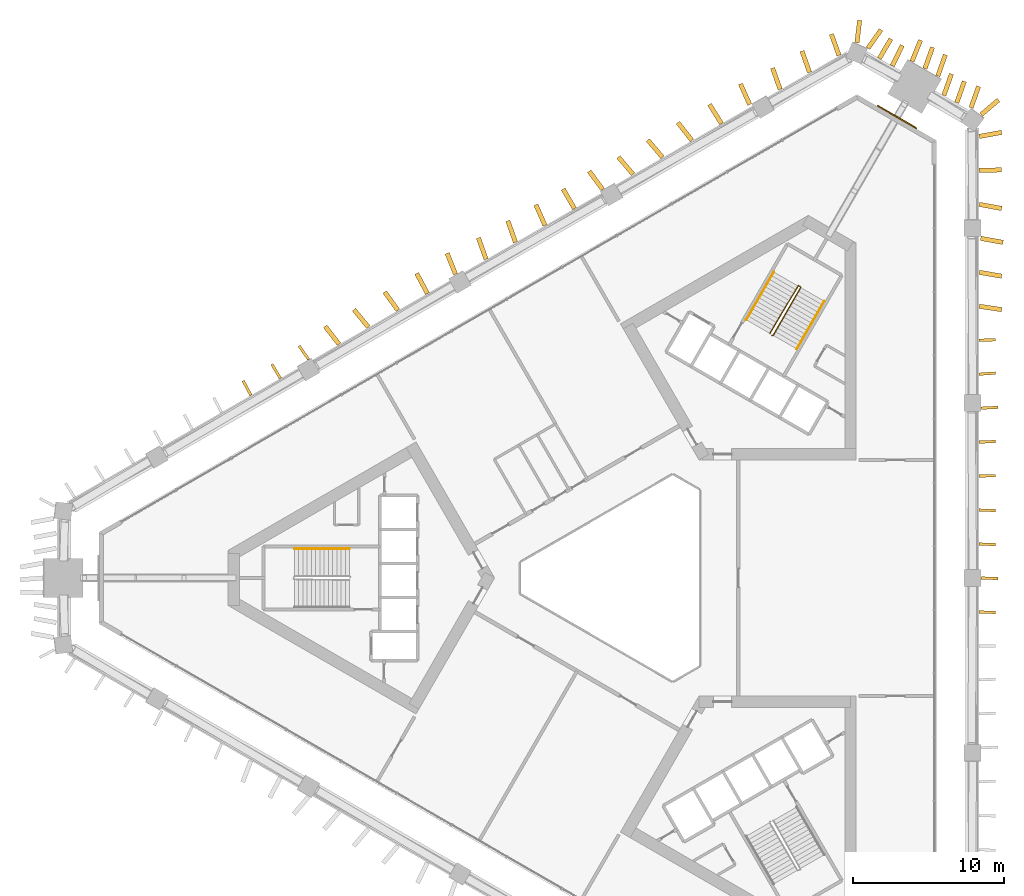
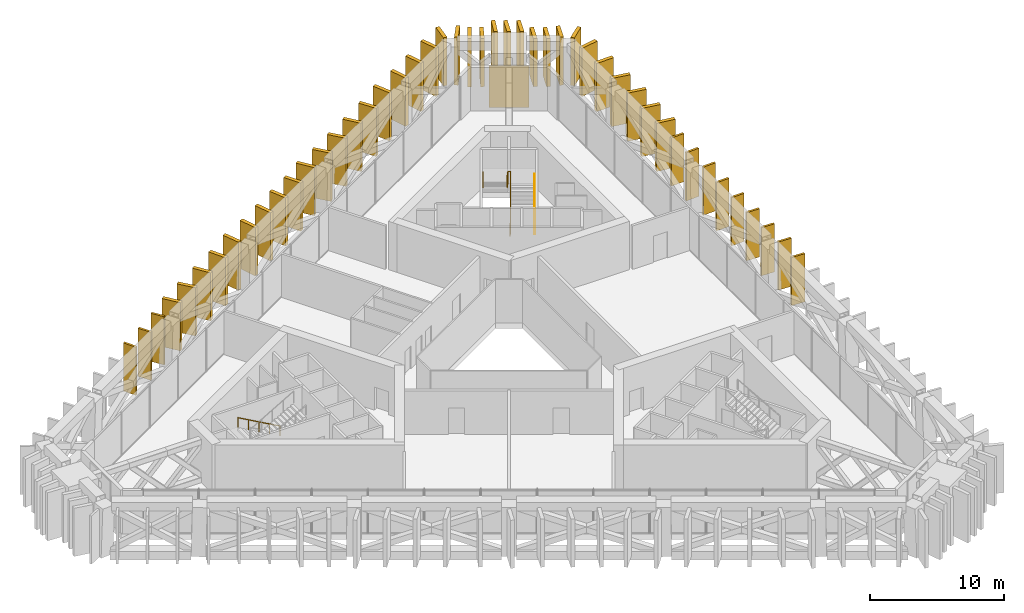
# One storey, part 17 of 17: 47 shading devices, 4 railings, 1 covering.
"""IFC4 building model written with IfcOpenShell, lengths in metres."""

from ifc_helpers import new_model, si_unit, direction, frame, frame_2d, origin, origin_2d, place, context, subcontext, project, spatial, rectangle, circle, extrude, material, layer, layer_set, type_object, element, save


model = new_model("IFC4")

# Units and contexts
model_context = context("Model", 3, precision=1e-05, world=origin(), true_north=direction((0.0, 1.0)))
body_context = subcontext(model_context, "Body", "Model", "MODEL_VIEW")
ifc_project = project(units=[si_unit("LENGTHUNIT", "METRE"), si_unit("AREAUNIT", "SQUARE_METRE"), si_unit("VOLUMEUNIT", "CUBIC_METRE"), si_unit("PLANEANGLEUNIT", "RADIAN"), si_unit("MASSUNIT", "GRAM", prefix="KILO")], contexts=[model_context])

# Site, building, storey
site_placement = place(None, origin())
site = spatial("IfcSite", under=ifc_project, at=site_placement, CompositionType="ELEMENT")
building_placement = place(site_placement, origin())
building = spatial("IfcBuilding", under=site, at=building_placement, Name="Jabali Bay Hotel Tower and Convention Centre", CompositionType="ELEMENT")
storey_placement = place(building_placement, frame((0.0, 0.0, 102.39990234375)))
storey = spatial("IfcBuildingStorey", under=building, at=storey_placement, Name="L24", CompositionType="ELEMENT", Elevation=102.39990234375)

# Shading devices
ifc_material_1 = material(Name="Precast concrete C60", Category="concrete")
ifc_layer_1 = layer(ifc_material_1, 0.179931640625)
ifc_layer_set_1 = layer_set([ifc_layer_1], Name="Precast concrete C60")
shading_device_type_1 = type_object("IfcShadingDeviceType", Name="Precast fin 4380 x 1100", PredefinedType="USERDEFINED", material=ifc_layer_set_1)
for number, where, z_axis, x_axis, name in (
    (1, (97.99169921875, 77.7568359375, 0.010009765625), (0.0, 0.0, 1.0), (0.999329050774, -0.036625787067, 0.0), "Fin L24 012"),
    (2, (98.1416015625, 80.0, 0.010009765625), (0.0, 0.0, 1.0), (0.999329050774, -0.036625787067, 0.0), "Fin L24 013"),
    (3, (97.99169921875, 82.2431640625, 0.010009765625), (0.0, 0.0, 1.0), (0.99932090172, -0.036847461059, 0.0), "Fin L24 014"),
):
    element("IfcShadingDevice", number, at=place(storey_placement, frame(where, z_axis=z_axis, x_axis=x_axis)), inside=storey, type_object=shading_device_type_1, Name=name, ObjectType="FIN", PredefinedType="USERDEFINED", context=body_context, shape_type="SweptSolid", body=[
        extrude(rectangle(XDim=1.099853515625, YDim=0.179931640625, at=frame_2d((0.5498046875, 0.0))), origin(), (0.0, 0.0, 1.0), 4.380126953125),
    ])
for number, where, z_axis, x_axis, name in (
    (4, (97.990966796875, 84.486328125, 0.010009765625), (0.0, 0.0, 1.0), (0.999570818053, -0.029294704259, 0.0), "Fin L24 015"),
    (5, (97.990966796875, 86.729736328125, 0.010009765625), (0.0, 0.0, 1.0), (0.999583716981, 0.028851217408, 0.0), "Fin L24 016"),
    (6, (97.991943359375, 88.972900390625, 0.010009765625), (0.0, 0.0, 1.0), (0.999174868023, 0.040615060162, 0.0), "Fin L24 017"),
):
    element("IfcShadingDevice", number, at=place(storey_placement, frame(where, z_axis=z_axis, x_axis=x_axis)), inside=storey, type_object=shading_device_type_1, Name=name, ObjectType="FIN", PredefinedType="USERDEFINED", context=body_context, shape_type="SweptSolid", body=[
        extrude(rectangle(XDim=1.10009765625, YDim=0.179931640625, at=frame_2d((0.550048828125, 0.0))), origin(), (0.0, 0.0, 1.0), 4.380126953125),
    ])
for number, where, z_axis, x_axis, name in (
    (7, (98.142578125, 91.216064453125, 0.010009765625), (0.0, 0.0, 1.0), (0.998849986842, 0.047944799368, 0.0), "Fin L24 018"),
    (8, (97.994384765625, 93.459228515625, 0.010009765625), (0.0, 0.0, 1.0), (0.997735778502, 0.067255604202, 0.0), "Fin L24 019"),
    (9, (97.99072265625, 95.70263671875, 0.010009765625), (0.0, 0.0, 1.0), (0.99967419583, 0.025524540968, 0.0), "Fin L24 020"),
):
    element("IfcShadingDevice", number, at=place(storey_placement, frame(where, z_axis=z_axis, x_axis=x_axis)), inside=storey, type_object=shading_device_type_1, Name=name, ObjectType="FIN", PredefinedType="USERDEFINED", context=body_context, shape_type="SweptSolid", body=[
        extrude(rectangle(XDim=1.099853515625, YDim=0.179931640625, at=frame_2d((0.5498046875, 0.0))), origin(), (0.0, 0.0, 1.0), 4.380126953125),
    ])
shading_device_1_placement = place(storey_placement, frame((53.71337890625, 94.437255859375, 0.010009765625), z_axis=(0.0, 0.0, 1.0), x_axis=(-0.577179690893, 0.816617171275, 0.0)))
element("IfcShadingDevice", 10, at=shading_device_1_placement, inside=storey, type_object=shading_device_type_1, Name="Fin L24 054", ObjectType="FIN", PredefinedType="USERDEFINED", context=body_context, shape_type="SweptSolid", body=[
    extrude(rectangle(XDim=1.10009765625, YDim=0.179931640625, at=frame_2d((0.550048828125, 0.0))), origin(), (0.0, 0.0, 1.0), 4.380126953125),
])
shading_device_2_placement = place(storey_placement, frame((51.84912109375, 93.179931640625, 0.010009765625), z_axis=(0.0, 0.0, 1.0), x_axis=(-0.511881860499, 0.85905585435, 0.0)))
element("IfcShadingDevice", 11, at=shading_device_2_placement, inside=storey, type_object=shading_device_type_1, Name="Fin L24 055", ObjectType="FIN", PredefinedType="USERDEFINED", context=body_context, shape_type="SweptSolid", body=[
    extrude(rectangle(XDim=1.099853515625, YDim=0.179931640625, at=frame_2d((0.5498046875, 0.0))), origin(), (0.0, 0.0, 1.0), 4.380126953125),
])
shading_device_3_placement = place(storey_placement, frame((49.905517578125, 92.059814453125, 0.010009765625), z_axis=(0.0, 0.0, 1.0), x_axis=(-0.471636196942, 0.881793228447, 0.0)))
element("IfcShadingDevice", 12, at=shading_device_3_placement, inside=storey, type_object=shading_device_type_1, Name="Fin L24 056", ObjectType="FIN", PredefinedType="USERDEFINED", context=body_context, shape_type="SweptSolid", body=[
    extrude(rectangle(XDim=1.10009765625, YDim=0.179931640625, at=frame_2d((0.550048828125, 0.0))), origin(), (0.0, 0.0, 1.0), 4.380126953125),
])
ifc_layer_2 = layer(ifc_material_1, 0.300048828125)
ifc_layer_set_2 = layer_set([ifc_layer_2], Name="Precast concrete C60")
shading_device_type_2 = type_object("IfcShadingDeviceType", Name="Precast fin 4380 x 1500", PredefinedType="USERDEFINED", material=ifc_layer_set_2)
for number, where, z_axis, x_axis, name in (
    (13, (98.010498046875, 97.94580078125, 0.010009765625), (0.0, 0.0, 1.0), (0.988993587022, -0.147958388842, 0.0), "Fin L24 021"),
    (14, (98.013916015625, 100.18896484375, 0.010009765625), (0.0, 0.0, 1.0), (0.985372589061, -0.170413792657, 0.0), "Fin L24 022"),
    (15, (98.10595703125, 102.43212890625, 0.010009765625), (0.0, 0.0, 1.0), (0.984049101175, -0.177897067083, 0.0), "Fin L24 023"),
    (16, (98.015380859375, 104.675537109375, 0.010009765625), (0.0, 0.0, 1.0), (0.983632050405, -0.180188760516, 0.0), "Fin L24 024"),
):
    element("IfcShadingDevice", number, at=place(storey_placement, frame(where, z_axis=z_axis, x_axis=x_axis)), inside=storey, type_object=shading_device_type_2, Name=name, ObjectType="FIN", PredefinedType="USERDEFINED", context=body_context, shape_type="SweptSolid", body=[
        extrude(rectangle(XDim=1.5, YDim=0.300048828125, at=frame_2d((0.75, 0.0))), origin(), (0.0, 0.0, 1.0), 4.380126953125),
    ])
shading_device_4_placement = place(storey_placement, frame((97.991943359375, 106.918701171875, 0.010009765625), z_axis=(0.0, 0.0, 1.0), x_axis=(0.999689979909, 0.024898676042, 0.0)))
element("IfcShadingDevice", 17, at=shading_device_4_placement, inside=storey, type_object=shading_device_type_2, Name="Fin L24 025", ObjectType="FIN", PredefinedType="USERDEFINED", context=body_context, shape_type="SweptSolid", body=[
    extrude(rectangle(XDim=1.500244140625, YDim=0.300048828125, at=frame_2d((0.75, 0.0))), origin(), (0.0, 0.0, 1.0), 4.380126953125),
])
shading_device_5_placement = place(storey_placement, frame((98.015380859375, 109.161865234375, 0.010009765625), z_axis=(0.0, 0.0, 1.0), x_axis=(0.983545395653, 0.180661159883, 0.0)))
element("IfcShadingDevice", 18, at=shading_device_5_placement, inside=storey, type_object=shading_device_type_2, Name="Fin L24 026", ObjectType="FIN", PredefinedType="USERDEFINED", context=body_context, shape_type="SweptSolid", body=[
    extrude(rectangle(XDim=1.5, YDim=0.300048828125, at=frame_2d((0.75, 0.0))), origin(), (0.0, 0.0, 1.0), 4.380126953125),
])
for number, where, z_axis, x_axis, name in (
    (19, (97.46728515625, 111.05615234375, 0.010009765625), (0.0, 0.0, 1.0), (0.335160595484, 0.942161013434, 0.0), "Fin L24 027"),
    (20, (96.52587890625, 111.39013671875, 0.010009765625), (0.0, 0.0, 1.0), (0.335160595484, 0.942161013434, 0.0), "Fin L24 028"),
):
    element("IfcShadingDevice", number, at=place(storey_placement, frame(where, z_axis=z_axis, x_axis=x_axis)), inside=storey, type_object=shading_device_type_2, Name=name, ObjectType="FIN", PredefinedType="USERDEFINED", context=body_context, shape_type="SweptSolid", body=[
        extrude(rectangle(XDim=1.499755859375, YDim=0.300048828125, at=frame_2d((0.75, 0.0))), origin(), (0.0, 0.0, 1.0), 4.380126953125),
    ])
shading_device_6_placement = place(storey_placement, frame((95.675048828125, 111.88134765625, 0.010009765625), z_axis=(0.0, 0.0, 1.0), x_axis=(0.335305076677, 0.942109603791, 0.0)))
element("IfcShadingDevice", 21, at=shading_device_6_placement, inside=storey, type_object=shading_device_type_2, Name="Fin L24 029", ObjectType="FIN", PredefinedType="USERDEFINED", context=body_context, shape_type="SweptSolid", body=[
    extrude(rectangle(XDim=1.5, YDim=0.300048828125, at=frame_2d((0.75, 0.0))), origin(), (0.0, 0.0, 1.0), 4.380126953125),
])
shading_device_7_placement = place(storey_placement, frame((95.274169921875, 113.151123046875, 0.010009765625), z_axis=(0.0, 0.0, 1.0), x_axis=(0.335160595484, 0.942161013434, 0.0)))
element("IfcShadingDevice", 22, at=shading_device_7_placement, inside=storey, type_object=shading_device_type_2, Name="Fin L24 030", ObjectType="FIN", PredefinedType="USERDEFINED", context=body_context, shape_type="SweptSolid", body=[
    extrude(rectangle(XDim=1.499755859375, YDim=0.300048828125, at=frame_2d((0.75, 0.0))), origin(), (0.0, 0.0, 1.0), 4.380126953125),
])
shading_device_8_placement = place(storey_placement, frame((94.42333984375, 113.642333984375, 0.010009765625), z_axis=(0.0, 0.0, 1.0), x_axis=(0.335305076677, 0.942109603791, 0.0)))
element("IfcShadingDevice", 23, at=shading_device_8_placement, inside=storey, type_object=shading_device_type_2, Name="Fin L24 031", ObjectType="FIN", PredefinedType="USERDEFINED", context=body_context, shape_type="SweptSolid", body=[
    extrude(rectangle(XDim=1.5, YDim=0.300048828125, at=frame_2d((0.75, 0.0))), origin(), (0.0, 0.0, 1.0), 4.380126953125),
])
shading_device_9_placement = place(storey_placement, frame((93.5693359375, 114.127685546875, 0.010009765625), z_axis=(0.0, 0.0, 1.0), x_axis=(0.376267910641, 0.926510906262, 0.0)))
element("IfcShadingDevice", 24, at=shading_device_9_placement, inside=storey, type_object=shading_device_type_2, Name="Fin L24 032", ObjectType="FIN", PredefinedType="USERDEFINED", context=body_context, shape_type="SweptSolid", body=[
    extrude(rectangle(XDim=1.500244140625, YDim=0.300048828125, at=frame_2d((0.75, 0.0))), origin(), (0.0, 0.0, 1.0), 4.380126953125),
])
shading_device_10_placement = place(storey_placement, frame((92.263427734375, 113.830322265625, 0.010009765625), z_axis=(0.0, 0.0, 1.0), x_axis=(0.445129145514, 0.895466383408, 0.0)))
element("IfcShadingDevice", 25, at=shading_device_10_placement, inside=storey, type_object=shading_device_type_2, Name="Fin L24 033", ObjectType="FIN", PredefinedType="USERDEFINED", context=body_context, shape_type="SweptSolid", body=[
    extrude(rectangle(XDim=1.5, YDim=0.300048828125, at=frame_2d((0.75, 0.0))), origin(), (0.0, 0.0, 1.0), 4.380126953125),
])
shading_device_11_placement = place(storey_placement, frame((91.4091796875, 114.3154296875, 0.010009765625), z_axis=(0.0, 0.0, 1.0), x_axis=(0.513130929105, 0.858310345735, 0.0)))
element("IfcShadingDevice", 26, at=shading_device_11_placement, inside=storey, type_object=shading_device_type_2, Name="Fin L24 034", ObjectType="FIN", PredefinedType="USERDEFINED", context=body_context, shape_type="SweptSolid", body=[
    extrude(rectangle(XDim=1.500244140625, YDim=0.300048828125, at=frame_2d((0.75, 0.0))), origin(), (0.0, 0.0, 1.0), 4.380126953125),
])
for number, where, z_axis, x_axis, name in (
    (27, (90.662109375, 114.986083984375, 0.010009765625), (0.0, 0.0, 1.0), (0.574412355558, 0.818566091273, 0.0), "Fin L24 035"),
    (28, (88.747314453125, 114.512939453125, 0.010009765625), (0.0, 0.0, 1.0), (-0.335305076677, 0.942109603791, 0.0), "Fin L24 036"),
):
    element("IfcShadingDevice", number, at=place(storey_placement, frame(where, z_axis=z_axis, x_axis=x_axis)), inside=storey, type_object=shading_device_type_2, Name=name, ObjectType="FIN", PredefinedType="USERDEFINED", context=body_context, shape_type="SweptSolid", body=[
        extrude(rectangle(XDim=1.5, YDim=0.300048828125, at=frame_2d((0.75, 0.0))), origin(), (0.0, 0.0, 1.0), 4.380126953125),
    ])
for number, where, z_axis, x_axis, name in (
    (29, (86.804443359375, 113.391357421875, 0.010009765625), (0.0, 0.0, 1.0), (-0.335160595484, 0.942161013434, 0.0), "Fin L24 037"),
    (30, (84.86181640625, 112.269775390625, 0.010009765625), (0.0, 0.0, 1.0), (-0.335160595484, 0.942161013434, 0.0), "Fin L24 038"),
):
    element("IfcShadingDevice", number, at=place(storey_placement, frame(where, z_axis=z_axis, x_axis=x_axis)), inside=storey, type_object=shading_device_type_2, Name=name, ObjectType="FIN", PredefinedType="USERDEFINED", context=body_context, shape_type="SweptSolid", body=[
        extrude(rectangle(XDim=1.499755859375, YDim=0.300048828125, at=frame_2d((0.75, 0.0))), origin(), (0.0, 0.0, 1.0), 4.380126953125),
    ])
for number, where, z_axis, x_axis, name in (
    (31, (82.852294921875, 111.263916015625, 0.010009765625), (0.0, 0.0, 1.0), (-0.4096539806, 0.912240985803, 0.0), "Fin L24 039"),
    (32, (80.987548828125, 110.00732421875, 0.010009765625), (0.0, 0.0, 1.0), (-0.528168899472, 0.849139336994, 0.0), "Fin L24 040"),
    (33, (79.036376953125, 108.900146484375, 0.010009765625), (0.0, 0.0, 1.0), (-0.619939761701, 0.784649406973, 0.0), "Fin L24 041"),
    (34, (77.091064453125, 107.783203125, 0.010009765625), (0.0, 0.0, 1.0), (-0.648281291341, 0.761400924151, 0.0), "Fin L24 042"),
    (35, (75.1484375, 106.66162109375, 0.010009765625), (0.0, 0.0, 1.0), (-0.648281291341, 0.761400924151, 0.0), "Fin L24 043"),
    (36, (73.135986328125, 105.66064453125, 0.010009765625), (0.0, 0.0, 1.0), (-0.591949152562, 0.80597531028, 0.0), "Fin L24 044"),
    (37, (71.276611328125, 104.39501953125, 0.010009765625), (0.0, 0.0, 1.0), (-0.500182682664, 0.865919906206, 0.0), "Fin L24 045"),
):
    element("IfcShadingDevice", number, at=place(storey_placement, frame(where, z_axis=z_axis, x_axis=x_axis)), inside=storey, type_object=shading_device_type_2, Name=name, ObjectType="FIN", PredefinedType="USERDEFINED", context=body_context, shape_type="SweptSolid", body=[
        extrude(rectangle(XDim=1.5, YDim=0.300048828125, at=frame_2d((0.75, 0.0))), origin(), (0.0, 0.0, 1.0), 4.380126953125),
    ])
shading_device_12_placement = place(storey_placement, frame((69.32568359375, 103.28759765625, 0.010009765625), z_axis=(0.0, 0.0, 1.0), x_axis=(-0.402056632689, 0.915614801164, 0.0)))
element("IfcShadingDevice", 38, at=shading_device_12_placement, inside=storey, type_object=shading_device_type_2, Name="Fin L24 046", ObjectType="FIN", PredefinedType="USERDEFINED", context=body_context, shape_type="SweptSolid", body=[
    extrude(rectangle(XDim=1.499755859375, YDim=0.300048828125, at=frame_2d((0.75, 0.0))), origin(), (0.0, 0.0, 1.0), 4.380126953125),
])
for number, where, z_axis, x_axis, name in (
    (39, (67.377685546875, 102.175048828125, 0.010009765625), (0.0, 0.0, 1.0), (-0.335253666146, 0.94212789967, 0.0), "Fin L24 047"),
    (40, (65.43505859375, 101.053466796875, 0.010009765625), (0.0, 0.0, 1.0), (-0.335253666146, 0.94212789967, 0.0), "Fin L24 048"),
):
    element("IfcShadingDevice", number, at=place(storey_placement, frame(where, z_axis=z_axis, x_axis=x_axis)), inside=storey, type_object=shading_device_type_2, Name=name, ObjectType="FIN", PredefinedType="USERDEFINED", context=body_context, shape_type="SweptSolid", body=[
        extrude(rectangle(XDim=1.500244140625, YDim=0.300048828125, at=frame_2d((0.75, 0.0))), origin(), (0.0, 0.0, 1.0), 4.380126953125),
    ])
shading_device_13_placement = place(storey_placement, frame((63.420166015625, 100.05712890625, 0.010009765625), z_axis=(0.0, 0.0, 1.0), x_axis=(-0.369678026923, 0.929159919718, 0.0)))
element("IfcShadingDevice", 41, at=shading_device_13_placement, inside=storey, type_object=shading_device_type_2, Name="Fin L24 049", ObjectType="FIN", PredefinedType="USERDEFINED", context=body_context, shape_type="SweptSolid", body=[
    extrude(rectangle(XDim=1.499755859375, YDim=0.300048828125, at=frame_2d((0.75, 0.0))), origin(), (0.0, 0.0, 1.0), 4.380126953125),
])
for number, where, z_axis, x_axis, name in (
    (42, (61.560791015625, 98.791015625, 0.010009765625), (0.0, 0.0, 1.0), (-0.471331436417, 0.881956165036, 0.0), "Fin L24 050"),
    (43, (59.613037109375, 97.677978515625, 0.010009765625), (0.0, 0.0, 1.0), (-0.582991967158, 0.812477917379, 0.0), "Fin L24 051"),
):
    element("IfcShadingDevice", number, at=place(storey_placement, frame(where, z_axis=z_axis, x_axis=x_axis)), inside=storey, type_object=shading_device_type_2, Name=name, ObjectType="FIN", PredefinedType="USERDEFINED", context=body_context, shape_type="SweptSolid", body=[
        extrude(rectangle(XDim=1.5, YDim=0.300048828125, at=frame_2d((0.75, 0.0))), origin(), (0.0, 0.0, 1.0), 4.380126953125),
    ])
shading_device_14_placement = place(storey_placement, frame((57.665283203125, 96.565185546875, 0.010009765625), z_axis=(0.0, 0.0, 1.0), x_axis=(-0.636317573069, 0.771427213808, 0.0)))
element("IfcShadingDevice", 44, at=shading_device_14_placement, inside=storey, type_object=shading_device_type_2, Name="Fin L24 052", ObjectType="FIN", PredefinedType="USERDEFINED", context=body_context, shape_type="SweptSolid", body=[
    extrude(rectangle(XDim=1.499755859375, YDim=0.300048828125, at=frame_2d((0.75, 0.0))), origin(), (0.0, 0.0, 1.0), 4.380126953125),
])
for number, where, z_axis, x_axis, name in (
    (45, (55.724853515625, 95.439697265625, 0.010009765625), (0.0, 0.0, 1.0), (-0.612993599183, 0.79008787319, 0.0), "Fin L24 053"),
    (46, (98.137939453125, 110.600830078125, 0.010009765625), (0.0, 0.0, 1.0), (0.761400924151, 0.648281291341, 0.0), "Fin L24 109"),
):
    element("IfcShadingDevice", number, at=place(storey_placement, frame(where, z_axis=z_axis, x_axis=x_axis)), inside=storey, type_object=shading_device_type_2, Name=name, ObjectType="FIN", PredefinedType="USERDEFINED", context=body_context, shape_type="SweptSolid", body=[
        extrude(rectangle(XDim=1.5, YDim=0.300048828125, at=frame_2d((0.75, 0.0))), origin(), (0.0, 0.0, 1.0), 4.380126953125),
    ])
shading_device_15_placement = place(storey_placement, frame((89.93212890625, 115.34814453125, 0.010009765625), z_axis=(0.0, 0.0, 1.0), x_axis=(0.121109144386, 0.992639196862, 0.0)))
element("IfcShadingDevice", 47, at=shading_device_15_placement, inside=storey, type_object=shading_device_type_2, Name="Fin L24 110", ObjectType="FIN", PredefinedType="USERDEFINED", context=body_context, shape_type="SweptSolid", body=[
    extrude(rectangle(XDim=1.499755859375, YDim=0.300048828125, at=frame_2d((0.75, 0.0))), origin(), (0.0, 0.0, 1.0), 4.380126953125),
])

# Covering
ifc_material_2 = material(Name="Precast concrete C40/50", Category="concrete")
ifc_layer_3 = layer(ifc_material_2, 0.080078125)
ifc_layer_set_3 = layer_set([ifc_layer_3], Name="Precast concrete C40/50")
covering_type = type_object("IfcCoveringType", Name="Relief panel 3000 x 3750", PredefinedType="CLADDING", material=ifc_layer_set_3)
covering_placement = place(storey_placement, frame((92.580322265625, 110.44970703125, 0.10009765625), z_axis=(0.0, 0.0, 1.0), x_axis=(0.866025463414, -0.499999896719, 0.0)))
element("IfcCovering", 48, at=covering_placement, inside=storey, type_object=covering_type, Name="Relief panel L24", PredefinedType="CLADDING", context=body_context, shape_type="SweptSolid", body=[
    extrude(rectangle(XDim=3.0, YDim=0.080078125, at=origin_2d()), origin(), (0.0, 0.0, 1.0), 3.75),
])

# Railings
ifc_material_3 = material(Name="Steel Q355B", Category="steel")
railing_type_1 = type_object("IfcRailingType", Name="Stair guard 1100", PredefinedType="GUARDRAIL", material=ifc_material_3)
railing_1_placement = place(storey_placement, frame((84.329833984375, 96.010009765625, 0.0)))
element("IfcRailing", 49, at=railing_1_placement, inside=storey, type_object=railing_type_1, Name="L24 ST2 stair guard 1", PredefinedType="GUARDRAIL", context=body_context, shape_type="SweptSolid", body=[
    extrude(circle(Radius=0.02392578125, at=origin_2d()), frame((0.0, 0.0, 1.076171875), z_axis=(0.396471330136, 0.106197677715, 0.911884059312), x_axis=(-0.258736085224, 0.965948051503, 0.0)), (0.0, 0.0, 1.0), 0.17236328125),
    extrude(circle(Radius=0.02392578125, at=origin_2d()), frame((0.068359375, 0.018310546875, 1.2333984375), z_axis=(0.436031875999, 0.75520369992, 0.489431889787), x_axis=(-0.866018046521, 0.500012742938, 0.0)), (0.0, 0.0, 1.0), 4.174072265625),
    extrude(circle(Radius=0.02392578125, at=origin_2d()), frame((1.888427734375, 3.170654296875, 3.2763671875), z_axis=(-0.718850276695, 0.695164929852, 0.0), x_axis=(-0.695164929852, -0.718850276695, 0.0)), (0.0, 0.0, 1.0), 0.2060546875),
    extrude(circle(Radius=0.02392578125, at=origin_2d()), frame((1.740234375, 3.31396484375, 3.2763671875), z_axis=(-0.439537937446, -0.737980503376, 0.512046070372), x_axis=(0.859157857954, -0.511710636118, 0.0)), (0.0, 0.0, 1.0), 4.29638671875),
    extrude(circle(Radius=0.02099609375, at=origin_2d()), origin(), (0.0, 0.0, 1.0), 1.052001953125),
    extrude(circle(Radius=0.02099609375, at=origin_2d()), frame((0.068359375, 0.018310546875, 0.1572265625)), (0.0, 0.0, 1.0), 1.052001953125),
    extrude(circle(Radius=0.02099609375, at=origin_2d()), frame((0.5234375, 0.806396484375, 0.66796875)), (0.0, 0.0, 1.0), 1.052001953125),
    extrude(circle(Radius=0.02099609375, at=origin_2d()), frame((0.978515625, 1.594482421875, 1.1787109375)), (0.0, 0.0, 1.0), 1.052001953125),
    extrude(circle(Radius=0.02099609375, at=origin_2d()), frame((1.433349609375, 2.382568359375, 1.689453125)), (0.0, 0.0, 1.0), 1.052001953125),
    extrude(circle(Radius=0.02099609375, at=origin_2d()), frame((1.888427734375, 3.170654296875, 2.2001953125)), (0.0, 0.0, 1.0), 1.052001953125),
    extrude(circle(Radius=0.02099609375, at=origin_2d()), frame((1.740234375, 3.31396484375, 2.2001953125)), (0.0, 0.0, 1.0), 1.052001953125),
    extrude(circle(Radius=0.02099609375, at=origin_2d()), frame((1.26806640625, 2.521240234375, 2.750244140625)), (0.0, 0.0, 1.0), 1.052001953125),
    extrude(circle(Radius=0.02099609375, at=origin_2d()), frame((0.7958984375, 1.728515625, 3.30029296875)), (0.0, 0.0, 1.0), 1.052001953125),
    extrude(circle(Radius=0.02099609375, at=origin_2d()), frame((0.323974609375, 0.93603515625, 3.85009765625)), (0.0, 0.0, 1.0), 1.052001953125),
    extrude(circle(Radius=0.02099609375, at=origin_2d()), frame((-0.148193359375, 0.143310546875, 4.400146484375)), (0.0, 0.0, 1.0), 1.052001953125),
])
railing_type_2 = type_object("IfcRailingType", Name="Stair handrail 900", PredefinedType="HANDRAIL", material=ifc_material_3)
railing_2_placement = place(storey_placement, frame((56.419921875, 81.925048828125, 0.1572265625)))
element("IfcRailing", 50, at=railing_2_placement, inside=storey, type_object=railing_type_2, Name="L24 ST1 stair handrail 1", PredefinedType="HANDRAIL", context=body_context, shape_type="SweptSolid", body=[
    extrude(circle(Radius=0.02392578125, at=origin_2d()), frame((0.0, 0.0, 0.8759765625), z_axis=(-0.872032840091, 0.0, 0.489447367756), x_axis=(0.0, -1.0, 0.0)), (0.0, 0.0, 1.0), 4.174072265625),
    extrude(circle(Radius=0.02099609375, at=origin_2d()), origin(), (0.0, 0.0, 1.0), 0.851806640625),
    extrude(circle(Radius=0.02099609375, at=origin_2d()), frame((-0.909912109375, 0.0, 0.5107421875)), (0.0, 0.0, 1.0), 0.851806640625),
    extrude(circle(Radius=0.02099609375, at=origin_2d()), frame((-1.81982421875, 0.0, 1.021484375)), (0.0, 0.0, 1.0), 0.851806640625),
    extrude(circle(Radius=0.02099609375, at=origin_2d()), frame((-2.72998046875, 0.0, 1.5322265625)), (0.0, 0.0, 1.0), 0.851806640625),
    extrude(circle(Radius=0.02099609375, at=origin_2d()), frame((-3.639892578125, 0.0, 2.04296875)), (0.0, 0.0, 1.0), 0.851806640625),
])
railing_3_placement = place(storey_placement, frame((85.95703125, 95.128173828125, 0.1572265625)))
element("IfcRailing", 51, at=railing_3_placement, inside=storey, type_object=railing_type_2, Name="L24 ST2 stair handrail 1", PredefinedType="HANDRAIL", context=body_context, shape_type="SweptSolid", body=[
    extrude(circle(Radius=0.02392578125, at=origin_2d()), frame((0.0, 0.0, 0.8759765625), z_axis=(0.436031875999, 0.75520369992, 0.489431889787), x_axis=(-0.866018046521, 0.500012742938, 0.0)), (0.0, 0.0, 1.0), 4.174072265625),
    extrude(circle(Radius=0.02099609375, at=origin_2d()), origin(), (0.0, 0.0, 1.0), 0.851806640625),
    extrude(circle(Radius=0.02099609375, at=origin_2d()), frame((0.455078125, 0.7880859375, 0.5107421875)), (0.0, 0.0, 1.0), 0.851806640625),
    extrude(circle(Radius=0.02099609375, at=origin_2d()), frame((0.91015625, 1.576171875, 1.021484375)), (0.0, 0.0, 1.0), 0.851806640625),
    extrude(circle(Radius=0.02099609375, at=origin_2d()), frame((1.364990234375, 2.3642578125, 1.5322265625)), (0.0, 0.0, 1.0), 0.851806640625),
    extrude(circle(Radius=0.02099609375, at=origin_2d()), frame((1.820068359375, 3.15234375, 2.04296875)), (0.0, 0.0, 1.0), 0.851806640625),
])
railing_4_placement = place(storey_placement, frame((84.44287109375, 100.20556640625, 2.357177734375)))
element("IfcRailing", 52, at=railing_4_placement, inside=storey, type_object=railing_type_2, Name="L24 ST2 stair handrail 2", PredefinedType="HANDRAIL", context=body_context, shape_type="SweptSolid", body=[
    extrude(circle(Radius=0.02392578125, at=origin_2d()), frame((0.0, 0.0, 0.8759765625), z_axis=(-0.436031875999, -0.75520369992, 0.489431889787), x_axis=(0.866018046521, -0.500012742938, 0.0)), (0.0, 0.0, 1.0), 4.174072265625),
    extrude(circle(Radius=0.02099609375, at=origin_2d()), origin(), (0.0, 0.0, 1.0), 0.851806640625),
    extrude(circle(Radius=0.02099609375, at=origin_2d()), frame((-0.455078125, -0.7880859375, 0.5107421875)), (0.0, 0.0, 1.0), 0.851806640625),
    extrude(circle(Radius=0.02099609375, at=origin_2d()), frame((-0.91015625, -1.576171875, 1.021484375)), (0.0, 0.0, 1.0), 0.851806640625),
    extrude(circle(Radius=0.02099609375, at=origin_2d()), frame((-1.364990234375, -2.3642578125, 1.5322265625)), (0.0, 0.0, 1.0), 0.851806640625),
    extrude(circle(Radius=0.02099609375, at=origin_2d()), frame((-1.820068359375, -3.15234375, 2.04296875)), (0.0, 0.0, 1.0), 0.851806640625),
])

save(model, "model.ifc")
